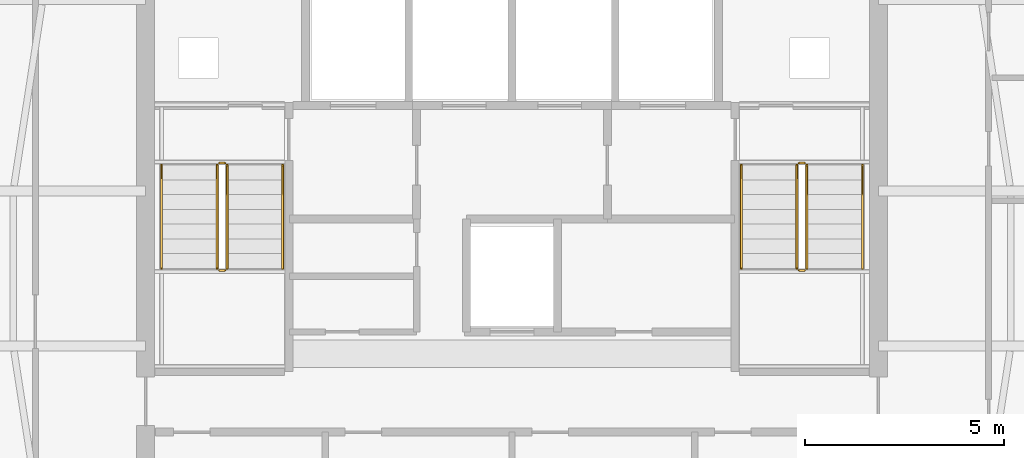
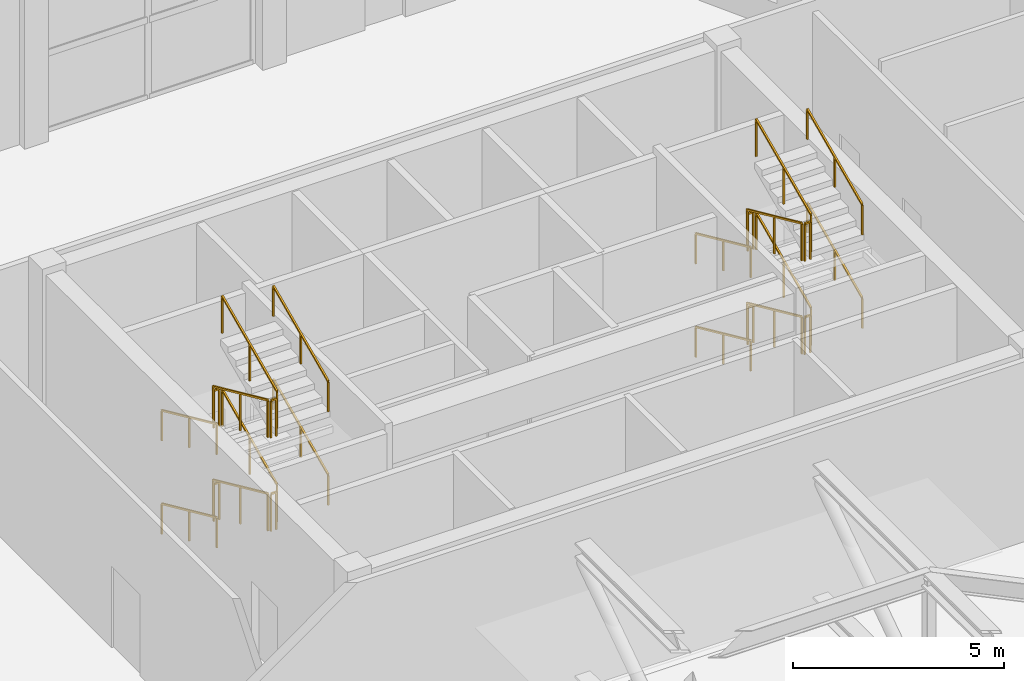
# One storey, part 22 of 23: 24 railings.
"""IFC4 building model written with IfcOpenShell, lengths in metres."""

from ifc_helpers import new_model, si_unit, direction, frame, origin, origin_2d, place, context, subcontext, project, spatial, rectangle, extrude, material, type_object, element, save


model = new_model("IFC4")

# Units and contexts
model_context = context("Model", 3, precision=1e-05, world=origin(), true_north=direction((0.0, 1.0)))
body_context = subcontext(model_context, "Body", "Model", "MODEL_VIEW")
ifc_project = project(units=[si_unit("LENGTHUNIT", "METRE"), si_unit("AREAUNIT", "SQUARE_METRE"), si_unit("VOLUMEUNIT", "CUBIC_METRE"), si_unit("PLANEANGLEUNIT", "RADIAN"), si_unit("MASSUNIT", "GRAM", prefix="KILO")], contexts=[model_context])

# Site, building, storey
site_placement = place(None, origin())
site = spatial("IfcSite", under=ifc_project, at=site_placement, CompositionType="ELEMENT")
building_placement = place(site_placement, origin())
building = spatial("IfcBuilding", under=site, at=building_placement, Name="Cinnabar Lancet Tower", CompositionType="ELEMENT")
storey_placement = place(building_placement, frame((0.0, 0.0, 278.10009765625)))
storey = spatial("IfcBuildingStorey", under=building, at=storey_placement, Name="L74", CompositionType="ELEMENT", Elevation=278.10009765625)

# Railings
ifc_material_1 = material(Name="Painted galvanized steel balustrade", Category="steel")
railing_type_1 = type_object("IfcRailingType", Name="GUARD-STAIR", PredefinedType="GUARDRAIL", material=ifc_material_1)
railing_1_placement = place(storey_placement, frame((24.97509765625, 28.39990234375, 0.168701171875)))
element("IfcRailing", 1, at=railing_1_placement, inside=storey, type_object=railing_type_1, Name="L74 ST-1 stair guard 1", PredefinedType="GUARDRAIL", context=body_context, shape_type="SweptSolid", body=[
    extrude(rectangle(XDim=0.048095703125, YDim=0.048095703125, at=origin_2d()), frame((0.0, 0.0, 1.076171875), z_axis=(0.0, -0.910430886142, 0.413661215923), x_axis=(1.0, 0.0, 0.0)), (0.0, 0.0, 1.0), 2.85546875),
    extrude(rectangle(XDim=0.0419921875, YDim=0.0419921875, at=origin_2d()), origin(), (0.0, 0.0, 1.0), 1.052001953125),
    extrude(rectangle(XDim=0.0419921875, YDim=0.0419921875, at=origin_2d()), frame((0.0, -1.2998046875, 0.590576171875)), (0.0, 0.0, 1.0), 1.052001953125),
    extrude(rectangle(XDim=0.0419921875, YDim=0.0419921875, at=origin_2d()), frame((0.0, -2.599609375, 1.18115234375)), (0.0, 0.0, 1.0), 1.052001953125),
])
railing_2_placement = place(storey_placement, frame((25.02490234375, 25.750244140625, 1.349853515625)))
element("IfcRailing", 2, at=railing_2_placement, inside=storey, type_object=railing_type_1, Name="L74 ST-1 stair guard 2", PredefinedType="GUARDRAIL", context=body_context, shape_type="SweptSolid", body=[
    extrude(rectangle(XDim=0.048095703125, YDim=0.048095703125, at=origin_2d()), frame((0.0, 0.0, 1.076171875), z_axis=(1.0, 0.0, 0.0), x_axis=(0.0, 1.0, 0.0)), (0.0, 0.0, 1.0), 0.150146484375),
    extrude(rectangle(XDim=0.0419921875, YDim=0.0419921875, at=origin_2d()), origin(), (0.0, 0.0, 1.0), 1.052001953125),
    extrude(rectangle(XDim=0.0419921875, YDim=0.0419921875, at=origin_2d()), frame((0.150146484375, 0.0, 0.0)), (0.0, 0.0, 1.0), 1.052001953125),
])
railing_3_placement = place(storey_placement, frame((25.22509765625, 25.80029296875, 1.5185546875)))
element("IfcRailing", 3, at=railing_3_placement, inside=storey, type_object=railing_type_1, Name="L74 ST-1 stair guard 3", PredefinedType="GUARDRAIL", context=body_context, shape_type="SweptSolid", body=[
    extrude(rectangle(XDim=0.048095703125, YDim=0.048095703125, at=origin_2d()), frame((0.0, 0.0, 1.076171875), z_axis=(0.0, 0.910398683421, 0.413732083872), x_axis=(-1.0, 0.0, 0.0)), (0.0, 0.0, 1.0), 2.85546875),
    extrude(rectangle(XDim=0.0419921875, YDim=0.0419921875, at=origin_2d()), origin(), (0.0, 0.0, 1.0), 1.052001953125),
    extrude(rectangle(XDim=0.0419921875, YDim=0.0419921875, at=origin_2d()), frame((0.0, 1.2998046875, 0.5908203125)), (0.0, 0.0, 1.0), 1.052001953125),
    extrude(rectangle(XDim=0.0419921875, YDim=0.0419921875, at=origin_2d()), frame((0.0, 2.599609375, 1.181396484375)), (0.0, 0.0, 1.0), 1.052001953125),
])
railing_4_placement = place(storey_placement, frame((25.02490234375, 28.449951171875, 2.699951171875)))
element("IfcRailing", 4, at=railing_4_placement, inside=storey, type_object=railing_type_1, Name="L74 ST-1 stair guard 4", PredefinedType="GUARDRAIL", context=body_context, shape_type="SweptSolid", body=[
    extrude(rectangle(XDim=0.048095703125, YDim=0.048095703125, at=origin_2d()), frame((0.0, 0.0, 1.076171875), z_axis=(1.0, 0.0, 0.0), x_axis=(0.0, 1.0, 0.0)), (0.0, 0.0, 1.0), 0.150146484375),
    extrude(rectangle(XDim=0.0419921875, YDim=0.0419921875, at=origin_2d()), origin(), (0.0, 0.0, 1.0), 1.052001953125),
    extrude(rectangle(XDim=0.0419921875, YDim=0.0419921875, at=origin_2d()), frame((0.150146484375, 0.0, 0.0)), (0.0, 0.0, 1.0), 1.052001953125),
])
railing_5_placement = place(storey_placement, frame((24.97509765625, 28.39990234375, 2.86865234375)))
element("IfcRailing", 5, at=railing_5_placement, inside=storey, type_object=railing_type_1, Name="L74 ST-1 stair guard 5", PredefinedType="GUARDRAIL", context=body_context, shape_type="SweptSolid", body=[
    extrude(rectangle(XDim=0.048095703125, YDim=0.048095703125, at=origin_2d()), frame((0.0, 0.0, 1.076171875), z_axis=(0.0, -0.910430886142, 0.413661215923), x_axis=(1.0, 0.0, 0.0)), (0.0, 0.0, 1.0), 2.85546875),
    extrude(rectangle(XDim=0.0419921875, YDim=0.0419921875, at=origin_2d()), origin(), (0.0, 0.0, 1.0), 1.052001953125),
    extrude(rectangle(XDim=0.0419921875, YDim=0.0419921875, at=origin_2d()), frame((0.0, -1.2998046875, 0.590576171875)), (0.0, 0.0, 1.0), 1.052001953125),
    extrude(rectangle(XDim=0.0419921875, YDim=0.0419921875, at=origin_2d()), frame((0.0, -2.599609375, 1.18115234375)), (0.0, 0.0, 1.0), 1.052001953125),
])
railing_6_placement = place(storey_placement, frame((25.02490234375, 25.750244140625, 4.0498046875)))
element("IfcRailing", 6, at=railing_6_placement, inside=storey, type_object=railing_type_1, Name="L74 ST-1 stair guard 6", PredefinedType="GUARDRAIL", context=body_context, shape_type="SweptSolid", body=[
    extrude(rectangle(XDim=0.048095703125, YDim=0.048095703125, at=origin_2d()), frame((0.0, 0.0, 1.076171875), z_axis=(1.0, 0.0, 0.0), x_axis=(0.0, 1.0, 0.0)), (0.0, 0.0, 1.0), 0.150146484375),
    extrude(rectangle(XDim=0.0419921875, YDim=0.0419921875, at=origin_2d()), origin(), (0.0, 0.0, 1.0), 1.052001953125),
    extrude(rectangle(XDim=0.0419921875, YDim=0.0419921875, at=origin_2d()), frame((0.150146484375, 0.0, 0.0)), (0.0, 0.0, 1.0), 1.052001953125),
])
railing_7_placement = place(storey_placement, frame((25.22509765625, 25.80029296875, 4.21875)))
element("IfcRailing", 7, at=railing_7_placement, inside=storey, type_object=railing_type_1, Name="L74 ST-1 stair guard 7", PredefinedType="GUARDRAIL", context=body_context, shape_type="SweptSolid", body=[
    extrude(rectangle(XDim=0.048095703125, YDim=0.048095703125, at=origin_2d()), frame((0.0, 0.0, 1.076171875), z_axis=(0.0, 0.910430886142, 0.413661215923), x_axis=(-1.0, 0.0, 0.0)), (0.0, 0.0, 1.0), 2.85546875),
    extrude(rectangle(XDim=0.0419921875, YDim=0.0419921875, at=origin_2d()), origin(), (0.0, 0.0, 1.0), 1.052001953125),
    extrude(rectangle(XDim=0.0419921875, YDim=0.0419921875, at=origin_2d()), frame((0.0, 1.2998046875, 0.590576171875)), (0.0, 0.0, 1.0), 1.052001953125),
    extrude(rectangle(XDim=0.0419921875, YDim=0.0419921875, at=origin_2d()), frame((0.0, 2.599609375, 1.18115234375)), (0.0, 0.0, 1.0), 1.052001953125),
])
railing_8_placement = place(storey_placement, frame((25.02490234375, 28.449951171875, 0.0)))
element("IfcRailing", 8, at=railing_8_placement, inside=storey, type_object=railing_type_1, Name="L74 ST-1 stair guard 8", PredefinedType="GUARDRAIL", context=body_context, shape_type="SweptSolid", body=[
    extrude(rectangle(XDim=0.048095703125, YDim=0.048095703125, at=origin_2d()), frame((0.0, 0.0, 1.076171875), z_axis=(1.0, 0.0, 0.0), x_axis=(0.0, 1.0, 0.0)), (0.0, 0.0, 1.0), 0.150146484375),
    extrude(rectangle(XDim=0.0419921875, YDim=0.0419921875, at=origin_2d()), origin(), (0.0, 0.0, 1.0), 1.052001953125),
    extrude(rectangle(XDim=0.0419921875, YDim=0.0419921875, at=origin_2d()), frame((0.150146484375, 0.0, 0.0)), (0.0, 0.0, 1.0), 1.052001953125),
])
railing_9_placement = place(storey_placement, frame((39.574951171875, 28.39990234375, 0.168701171875)))
element("IfcRailing", 9, at=railing_9_placement, inside=storey, type_object=railing_type_1, Name="L74 ST-2 stair guard 1", PredefinedType="GUARDRAIL", context=body_context, shape_type="SweptSolid", body=[
    extrude(rectangle(XDim=0.048095703125, YDim=0.048095703125, at=origin_2d()), frame((0.0, 0.0, 1.076171875), z_axis=(0.0, -0.910430886142, 0.413661215923), x_axis=(1.0, 0.0, 0.0)), (0.0, 0.0, 1.0), 2.85546875),
    extrude(rectangle(XDim=0.0419921875, YDim=0.0419921875, at=origin_2d()), origin(), (0.0, 0.0, 1.0), 1.052001953125),
    extrude(rectangle(XDim=0.0419921875, YDim=0.0419921875, at=origin_2d()), frame((0.0, -1.2998046875, 0.590576171875)), (0.0, 0.0, 1.0), 1.052001953125),
    extrude(rectangle(XDim=0.0419921875, YDim=0.0419921875, at=origin_2d()), frame((0.0, -2.599609375, 1.18115234375)), (0.0, 0.0, 1.0), 1.052001953125),
])
railing_10_placement = place(storey_placement, frame((39.625, 25.750244140625, 1.349853515625)))
element("IfcRailing", 10, at=railing_10_placement, inside=storey, type_object=railing_type_1, Name="L74 ST-2 stair guard 2", PredefinedType="GUARDRAIL", context=body_context, shape_type="SweptSolid", body=[
    extrude(rectangle(XDim=0.048095703125, YDim=0.048095703125, at=origin_2d()), frame((0.0, 0.0, 1.076171875), z_axis=(1.0, 0.0, 0.0), x_axis=(0.0, 1.0, 0.0)), (0.0, 0.0, 1.0), 0.14990234375),
    extrude(rectangle(XDim=0.0419921875, YDim=0.0419921875, at=origin_2d()), origin(), (0.0, 0.0, 1.0), 1.052001953125),
    extrude(rectangle(XDim=0.0419921875, YDim=0.0419921875, at=origin_2d()), frame((0.14990234375, 0.0, 0.0)), (0.0, 0.0, 1.0), 1.052001953125),
])
railing_11_placement = place(storey_placement, frame((39.824951171875, 25.80029296875, 1.5185546875)))
element("IfcRailing", 11, at=railing_11_placement, inside=storey, type_object=railing_type_1, Name="L74 ST-2 stair guard 3", PredefinedType="GUARDRAIL", context=body_context, shape_type="SweptSolid", body=[
    extrude(rectangle(XDim=0.048095703125, YDim=0.048095703125, at=origin_2d()), frame((0.0, 0.0, 1.076171875), z_axis=(0.0, 0.910398683421, 0.413732083872), x_axis=(-1.0, 0.0, 0.0)), (0.0, 0.0, 1.0), 2.85546875),
    extrude(rectangle(XDim=0.0419921875, YDim=0.0419921875, at=origin_2d()), origin(), (0.0, 0.0, 1.0), 1.052001953125),
    extrude(rectangle(XDim=0.0419921875, YDim=0.0419921875, at=origin_2d()), frame((0.0, 1.2998046875, 0.5908203125)), (0.0, 0.0, 1.0), 1.052001953125),
    extrude(rectangle(XDim=0.0419921875, YDim=0.0419921875, at=origin_2d()), frame((0.0, 2.599609375, 1.181396484375)), (0.0, 0.0, 1.0), 1.052001953125),
])
railing_12_placement = place(storey_placement, frame((39.625, 28.449951171875, 2.699951171875)))
element("IfcRailing", 12, at=railing_12_placement, inside=storey, type_object=railing_type_1, Name="L74 ST-2 stair guard 4", PredefinedType="GUARDRAIL", context=body_context, shape_type="SweptSolid", body=[
    extrude(rectangle(XDim=0.048095703125, YDim=0.048095703125, at=origin_2d()), frame((0.0, 0.0, 1.076171875), z_axis=(1.0, 0.0, 0.0), x_axis=(0.0, 1.0, 0.0)), (0.0, 0.0, 1.0), 0.14990234375),
    extrude(rectangle(XDim=0.0419921875, YDim=0.0419921875, at=origin_2d()), origin(), (0.0, 0.0, 1.0), 1.052001953125),
    extrude(rectangle(XDim=0.0419921875, YDim=0.0419921875, at=origin_2d()), frame((0.14990234375, 0.0, 0.0)), (0.0, 0.0, 1.0), 1.052001953125),
])
railing_13_placement = place(storey_placement, frame((39.574951171875, 28.39990234375, 2.86865234375)))
element("IfcRailing", 13, at=railing_13_placement, inside=storey, type_object=railing_type_1, Name="L74 ST-2 stair guard 5", PredefinedType="GUARDRAIL", context=body_context, shape_type="SweptSolid", body=[
    extrude(rectangle(XDim=0.048095703125, YDim=0.048095703125, at=origin_2d()), frame((0.0, 0.0, 1.076171875), z_axis=(0.0, -0.910430886142, 0.413661215923), x_axis=(1.0, 0.0, 0.0)), (0.0, 0.0, 1.0), 2.85546875),
    extrude(rectangle(XDim=0.0419921875, YDim=0.0419921875, at=origin_2d()), origin(), (0.0, 0.0, 1.0), 1.052001953125),
    extrude(rectangle(XDim=0.0419921875, YDim=0.0419921875, at=origin_2d()), frame((0.0, -1.2998046875, 0.590576171875)), (0.0, 0.0, 1.0), 1.052001953125),
    extrude(rectangle(XDim=0.0419921875, YDim=0.0419921875, at=origin_2d()), frame((0.0, -2.599609375, 1.18115234375)), (0.0, 0.0, 1.0), 1.052001953125),
])
railing_14_placement = place(storey_placement, frame((39.625, 25.750244140625, 4.0498046875)))
element("IfcRailing", 14, at=railing_14_placement, inside=storey, type_object=railing_type_1, Name="L74 ST-2 stair guard 6", PredefinedType="GUARDRAIL", context=body_context, shape_type="SweptSolid", body=[
    extrude(rectangle(XDim=0.048095703125, YDim=0.048095703125, at=origin_2d()), frame((0.0, 0.0, 1.076171875), z_axis=(1.0, 0.0, 0.0), x_axis=(0.0, 1.0, 0.0)), (0.0, 0.0, 1.0), 0.14990234375),
    extrude(rectangle(XDim=0.0419921875, YDim=0.0419921875, at=origin_2d()), origin(), (0.0, 0.0, 1.0), 1.052001953125),
    extrude(rectangle(XDim=0.0419921875, YDim=0.0419921875, at=origin_2d()), frame((0.14990234375, 0.0, 0.0)), (0.0, 0.0, 1.0), 1.052001953125),
])
railing_15_placement = place(storey_placement, frame((39.824951171875, 25.80029296875, 4.21875)))
element("IfcRailing", 15, at=railing_15_placement, inside=storey, type_object=railing_type_1, Name="L74 ST-2 stair guard 7", PredefinedType="GUARDRAIL", context=body_context, shape_type="SweptSolid", body=[
    extrude(rectangle(XDim=0.048095703125, YDim=0.048095703125, at=origin_2d()), frame((0.0, 0.0, 1.076171875), z_axis=(0.0, 0.910430886142, 0.413661215923), x_axis=(-1.0, 0.0, 0.0)), (0.0, 0.0, 1.0), 2.85546875),
    extrude(rectangle(XDim=0.0419921875, YDim=0.0419921875, at=origin_2d()), origin(), (0.0, 0.0, 1.0), 1.052001953125),
    extrude(rectangle(XDim=0.0419921875, YDim=0.0419921875, at=origin_2d()), frame((0.0, 1.2998046875, 0.590576171875)), (0.0, 0.0, 1.0), 1.052001953125),
    extrude(rectangle(XDim=0.0419921875, YDim=0.0419921875, at=origin_2d()), frame((0.0, 2.599609375, 1.18115234375)), (0.0, 0.0, 1.0), 1.052001953125),
])
railing_16_placement = place(storey_placement, frame((39.625, 28.449951171875, 0.0)))
element("IfcRailing", 16, at=railing_16_placement, inside=storey, type_object=railing_type_1, Name="L74 ST-2 stair guard 8", PredefinedType="GUARDRAIL", context=body_context, shape_type="SweptSolid", body=[
    extrude(rectangle(XDim=0.048095703125, YDim=0.048095703125, at=origin_2d()), frame((0.0, 0.0, 1.076171875), z_axis=(1.0, 0.0, 0.0), x_axis=(0.0, 1.0, 0.0)), (0.0, 0.0, 1.0), 0.14990234375),
    extrude(rectangle(XDim=0.0419921875, YDim=0.0419921875, at=origin_2d()), origin(), (0.0, 0.0, 1.0), 1.052001953125),
    extrude(rectangle(XDim=0.0419921875, YDim=0.0419921875, at=origin_2d()), frame((0.14990234375, 0.0, 0.0)), (0.0, 0.0, 1.0), 1.052001953125),
])
ifc_material_2 = material(Name="Brushed stainless steel handrail", Category="steel")
railing_type_2 = type_object("IfcRailingType", Name="HANDRAIL-STAIR", PredefinedType="HANDRAIL", material=ifc_material_2)
railing_17_placement = place(storey_placement, frame((23.574951171875, 28.39990234375, 0.168701171875)))
element("IfcRailing", 17, at=railing_17_placement, inside=storey, type_object=railing_type_2, Name="L74 ST-1 stair handrail 1", PredefinedType="HANDRAIL", context=body_context, shape_type="SweptSolid", body=[
    extrude(rectangle(XDim=0.048095703125, YDim=0.048095703125, at=origin_2d()), frame((0.0, 0.0, 0.8759765625), z_axis=(0.0, -0.910430886142, 0.413661215923), x_axis=(1.0, 0.0, 0.0)), (0.0, 0.0, 1.0), 2.85546875),
    extrude(rectangle(XDim=0.0419921875, YDim=0.0419921875, at=origin_2d()), origin(), (0.0, 0.0, 1.0), 0.851806640625),
    extrude(rectangle(XDim=0.0419921875, YDim=0.0419921875, at=origin_2d()), frame((0.0, -1.2998046875, 0.590576171875)), (0.0, 0.0, 1.0), 0.851806640625),
    extrude(rectangle(XDim=0.0419921875, YDim=0.0419921875, at=origin_2d()), frame((0.0, -2.599609375, 1.18115234375)), (0.0, 0.0, 1.0), 0.851806640625),
])
railing_18_placement = place(storey_placement, frame((26.625, 25.80029296875, 1.5185546875)))
element("IfcRailing", 18, at=railing_18_placement, inside=storey, type_object=railing_type_2, Name="L74 ST-1 stair handrail 2", PredefinedType="HANDRAIL", context=body_context, shape_type="SweptSolid", body=[
    extrude(rectangle(XDim=0.048095703125, YDim=0.048095703125, at=origin_2d()), frame((0.0, 0.0, 0.8759765625), z_axis=(0.0, 0.910398683421, 0.413732083872), x_axis=(-1.0, 0.0, 0.0)), (0.0, 0.0, 1.0), 2.85546875),
    extrude(rectangle(XDim=0.0419921875, YDim=0.0419921875, at=origin_2d()), origin(), (0.0, 0.0, 1.0), 0.851806640625),
    extrude(rectangle(XDim=0.0419921875, YDim=0.0419921875, at=origin_2d()), frame((0.0, 1.2998046875, 0.5908203125)), (0.0, 0.0, 1.0), 0.851806640625),
    extrude(rectangle(XDim=0.0419921875, YDim=0.0419921875, at=origin_2d()), frame((0.0, 2.599609375, 1.181396484375)), (0.0, 0.0, 1.0), 0.851806640625),
])
railing_19_placement = place(storey_placement, frame((23.574951171875, 28.39990234375, 2.86865234375)))
element("IfcRailing", 19, at=railing_19_placement, inside=storey, type_object=railing_type_2, Name="L74 ST-1 stair handrail 3", PredefinedType="HANDRAIL", context=body_context, shape_type="SweptSolid", body=[
    extrude(rectangle(XDim=0.048095703125, YDim=0.048095703125, at=origin_2d()), frame((0.0, 0.0, 0.8759765625), z_axis=(0.0, -0.910430886142, 0.413661215923), x_axis=(1.0, 0.0, 0.0)), (0.0, 0.0, 1.0), 2.85546875),
    extrude(rectangle(XDim=0.0419921875, YDim=0.0419921875, at=origin_2d()), origin(), (0.0, 0.0, 1.0), 0.851806640625),
    extrude(rectangle(XDim=0.0419921875, YDim=0.0419921875, at=origin_2d()), frame((0.0, -1.2998046875, 0.590576171875)), (0.0, 0.0, 1.0), 0.851806640625),
    extrude(rectangle(XDim=0.0419921875, YDim=0.0419921875, at=origin_2d()), frame((0.0, -2.599609375, 1.18115234375)), (0.0, 0.0, 1.0), 0.851806640625),
])
railing_20_placement = place(storey_placement, frame((26.625, 25.80029296875, 4.21875)))
element("IfcRailing", 20, at=railing_20_placement, inside=storey, type_object=railing_type_2, Name="L74 ST-1 stair handrail 4", PredefinedType="HANDRAIL", context=body_context, shape_type="SweptSolid", body=[
    extrude(rectangle(XDim=0.048095703125, YDim=0.048095703125, at=origin_2d()), frame((0.0, 0.0, 0.8759765625), z_axis=(0.0, 0.910430886142, 0.413661215923), x_axis=(-1.0, 0.0, 0.0)), (0.0, 0.0, 1.0), 2.85546875),
    extrude(rectangle(XDim=0.0419921875, YDim=0.0419921875, at=origin_2d()), origin(), (0.0, 0.0, 1.0), 0.851806640625),
    extrude(rectangle(XDim=0.0419921875, YDim=0.0419921875, at=origin_2d()), frame((0.0, 1.2998046875, 0.590576171875)), (0.0, 0.0, 1.0), 0.851806640625),
    extrude(rectangle(XDim=0.0419921875, YDim=0.0419921875, at=origin_2d()), frame((0.0, 2.599609375, 1.18115234375)), (0.0, 0.0, 1.0), 0.851806640625),
])
railing_21_placement = place(storey_placement, frame((38.175048828125, 28.39990234375, 0.168701171875)))
element("IfcRailing", 21, at=railing_21_placement, inside=storey, type_object=railing_type_2, Name="L74 ST-2 stair handrail 1", PredefinedType="HANDRAIL", context=body_context, shape_type="SweptSolid", body=[
    extrude(rectangle(XDim=0.048095703125, YDim=0.048095703125, at=origin_2d()), frame((0.0, 0.0, 0.8759765625), z_axis=(0.0, -0.910430886142, 0.413661215923), x_axis=(1.0, 0.0, 0.0)), (0.0, 0.0, 1.0), 2.85546875),
    extrude(rectangle(XDim=0.0419921875, YDim=0.0419921875, at=origin_2d()), origin(), (0.0, 0.0, 1.0), 0.851806640625),
    extrude(rectangle(XDim=0.0419921875, YDim=0.0419921875, at=origin_2d()), frame((0.0, -1.2998046875, 0.590576171875)), (0.0, 0.0, 1.0), 0.851806640625),
    extrude(rectangle(XDim=0.0419921875, YDim=0.0419921875, at=origin_2d()), frame((0.0, -2.599609375, 1.18115234375)), (0.0, 0.0, 1.0), 0.851806640625),
])
railing_22_placement = place(storey_placement, frame((41.22509765625, 25.80029296875, 1.5185546875)))
element("IfcRailing", 22, at=railing_22_placement, inside=storey, type_object=railing_type_2, Name="L74 ST-2 stair handrail 2", PredefinedType="HANDRAIL", context=body_context, shape_type="SweptSolid", body=[
    extrude(rectangle(XDim=0.048095703125, YDim=0.048095703125, at=origin_2d()), frame((0.0, 0.0, 0.8759765625), z_axis=(0.0, 0.910398683421, 0.413732083872), x_axis=(-1.0, 0.0, 0.0)), (0.0, 0.0, 1.0), 2.85546875),
    extrude(rectangle(XDim=0.0419921875, YDim=0.0419921875, at=origin_2d()), origin(), (0.0, 0.0, 1.0), 0.851806640625),
    extrude(rectangle(XDim=0.0419921875, YDim=0.0419921875, at=origin_2d()), frame((0.0, 1.2998046875, 0.5908203125)), (0.0, 0.0, 1.0), 0.851806640625),
    extrude(rectangle(XDim=0.0419921875, YDim=0.0419921875, at=origin_2d()), frame((0.0, 2.599609375, 1.181396484375)), (0.0, 0.0, 1.0), 0.851806640625),
])
railing_23_placement = place(storey_placement, frame((38.175048828125, 28.39990234375, 2.86865234375)))
element("IfcRailing", 23, at=railing_23_placement, inside=storey, type_object=railing_type_2, Name="L74 ST-2 stair handrail 3", PredefinedType="HANDRAIL", context=body_context, shape_type="SweptSolid", body=[
    extrude(rectangle(XDim=0.048095703125, YDim=0.048095703125, at=origin_2d()), frame((0.0, 0.0, 0.8759765625), z_axis=(0.0, -0.910430886142, 0.413661215923), x_axis=(1.0, 0.0, 0.0)), (0.0, 0.0, 1.0), 2.85546875),
    extrude(rectangle(XDim=0.0419921875, YDim=0.0419921875, at=origin_2d()), origin(), (0.0, 0.0, 1.0), 0.851806640625),
    extrude(rectangle(XDim=0.0419921875, YDim=0.0419921875, at=origin_2d()), frame((0.0, -1.2998046875, 0.590576171875)), (0.0, 0.0, 1.0), 0.851806640625),
    extrude(rectangle(XDim=0.0419921875, YDim=0.0419921875, at=origin_2d()), frame((0.0, -2.599609375, 1.18115234375)), (0.0, 0.0, 1.0), 0.851806640625),
])
railing_24_placement = place(storey_placement, frame((41.22509765625, 25.80029296875, 4.21875)))
element("IfcRailing", 24, at=railing_24_placement, inside=storey, type_object=railing_type_2, Name="L74 ST-2 stair handrail 4", PredefinedType="HANDRAIL", context=body_context, shape_type="SweptSolid", body=[
    extrude(rectangle(XDim=0.048095703125, YDim=0.048095703125, at=origin_2d()), frame((0.0, 0.0, 0.8759765625), z_axis=(0.0, 0.910430886142, 0.413661215923), x_axis=(-1.0, 0.0, 0.0)), (0.0, 0.0, 1.0), 2.85546875),
    extrude(rectangle(XDim=0.0419921875, YDim=0.0419921875, at=origin_2d()), origin(), (0.0, 0.0, 1.0), 0.851806640625),
    extrude(rectangle(XDim=0.0419921875, YDim=0.0419921875, at=origin_2d()), frame((0.0, 1.2998046875, 0.590576171875)), (0.0, 0.0, 1.0), 0.851806640625),
    extrude(rectangle(XDim=0.0419921875, YDim=0.0419921875, at=origin_2d()), frame((0.0, 2.599609375, 1.18115234375)), (0.0, 0.0, 1.0), 0.851806640625),
])

save(model, "model.ifc")
